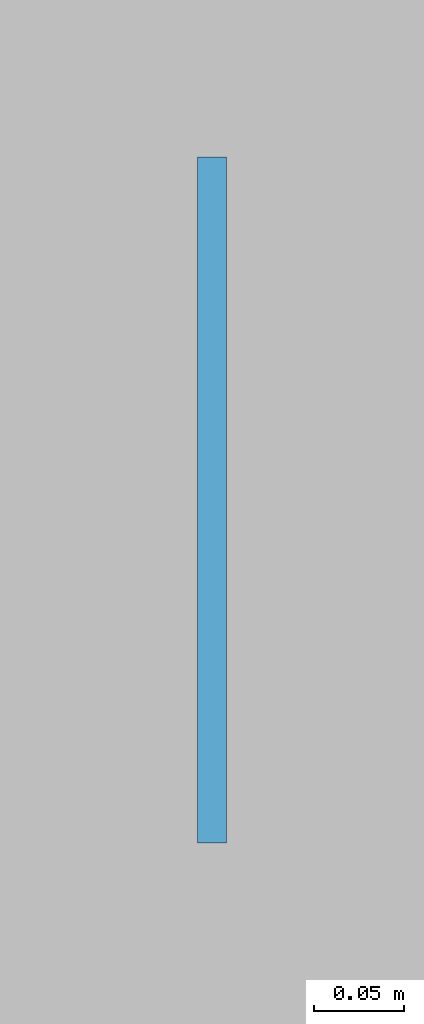
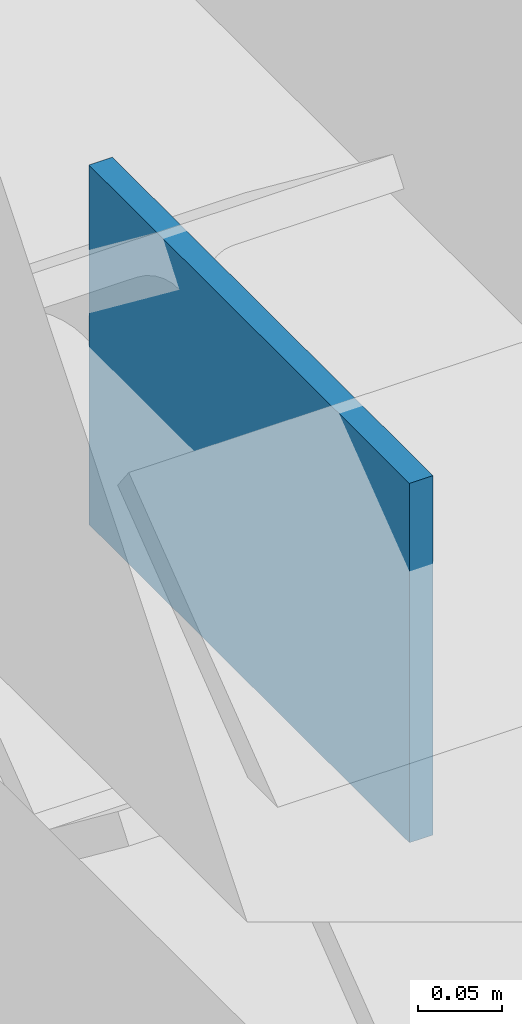
# One storey, part 73 of 101: 1 plate.
"""IFC4 building model written with IfcOpenShell, lengths in metres."""

from ifc_helpers import new_model, si_unit, direction, frame, origin, origin_2d, place, context, subcontext, project, spatial, rectangle, extrude, material, layer, layer_set, type_object, element, save


model = new_model("IFC4")

# Units and contexts
model_context = context("Model", 3, precision=1e-05, world=origin(), true_north=direction((0.0, 1.0)))
body_context = subcontext(model_context, "Body", "Model", "MODEL_VIEW")
ifc_project = project(units=[si_unit("LENGTHUNIT", "METRE"), si_unit("AREAUNIT", "SQUARE_METRE"), si_unit("VOLUMEUNIT", "CUBIC_METRE"), si_unit("PLANEANGLEUNIT", "RADIAN"), si_unit("MASSUNIT", "GRAM", prefix="KILO")], contexts=[model_context])

# Site, building, storey
site_placement = place(None, origin())
site = spatial("IfcSite", under=ifc_project, at=site_placement, CompositionType="ELEMENT")
building_placement = place(site_placement, origin())
building = spatial("IfcBuilding", under=site, at=building_placement, Name="Qasida Concert Hall", CompositionType="ELEMENT")
storey_placement = place(building_placement, frame((0.0, 0.0, 13.199951171875)))
storey = spatial("IfcBuildingStorey", under=building, at=storey_placement, Name="L03", CompositionType="ELEMENT", Elevation=13.199951171875)

# Plate
ifc_material = material(Name="Steel S355J2", Category="steel")
ifc_layer = layer(ifc_material, 0.01611328125, Name="Steel S355J2")
ifc_layer_set = layer_set([ifc_layer], Name="Steel S355J2")
plate_type = type_object("IfcPlateType", Name="PLT-PL-EC3", PredefinedType="SHEET", material=ifc_layer_set)
plate_placement = place(storey_placement, frame((105.0, 71.25, 2.740234375), z_axis=(0.0, 0.0, 1.0), x_axis=(0.0, 1.0, 0.0)))
element("IfcPlate", 1, at=plate_placement, inside=storey, type_object=plate_type, Name="Chevron apex plate CBF-0080", PredefinedType="SHEET", context=body_context, shape_type="SweptSolid", body=[
    extrude(rectangle(XDim=0.3798828125, YDim=0.01611328125, at=origin_2d()), origin(), (0.0, 0.0, 1.0), 0.260009765625),
])

save(model, "model.ifc")
